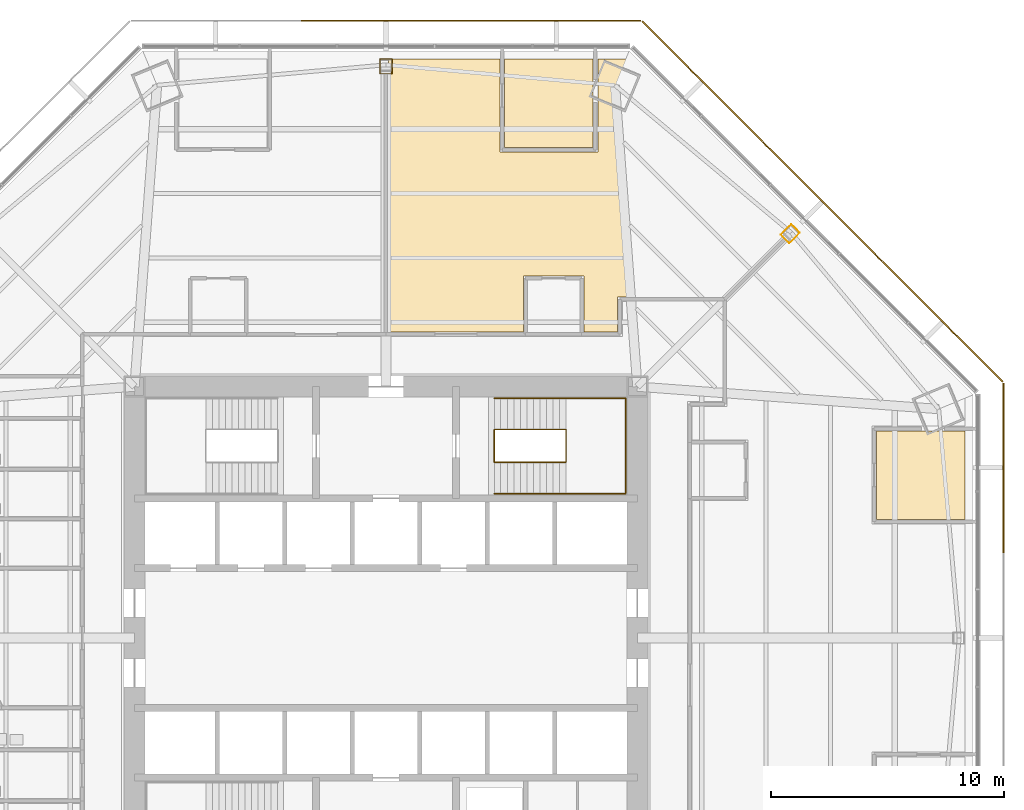
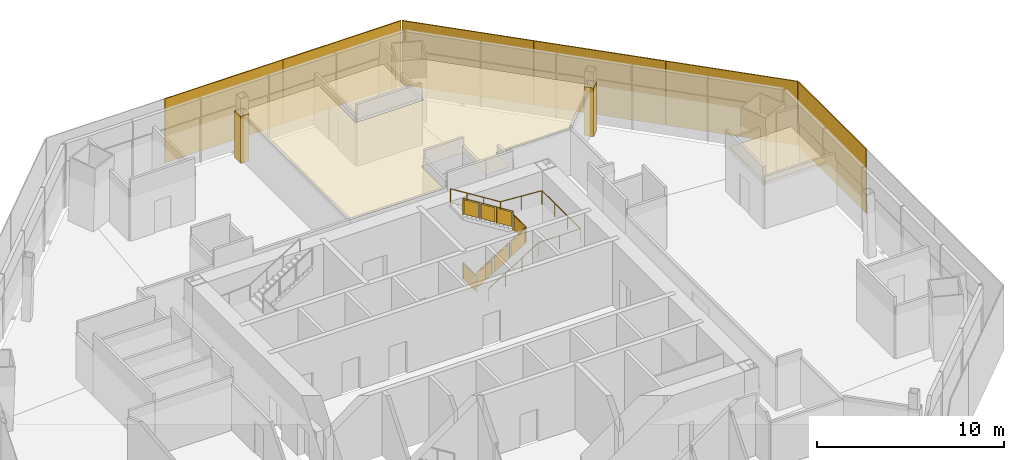
# One storey, part 16 of 17: 6 shading devices, 5 coverings, 2 railings.
"""IFC4 building model written with IfcOpenShell, lengths in metres."""

from ifc_helpers import new_model, si_unit, direction, frame, origin, origin_2d, place, context, subcontext, project, spatial, polyline, rectangle, circle, outline, extrude, source, transform, mapped, material, layer, layer_set, type_object, type_shapes, element, save


model = new_model("IFC4")

# Units and contexts
model_context = context("Model", 3, precision=1e-05, world=origin(), true_north=direction((0.0, 1.0)))
body_context = subcontext(model_context, "Body", "Model", "MODEL_VIEW")
ifc_project = project(units=[si_unit("LENGTHUNIT", "METRE"), si_unit("AREAUNIT", "SQUARE_METRE"), si_unit("VOLUMEUNIT", "CUBIC_METRE"), si_unit("PLANEANGLEUNIT", "RADIAN"), si_unit("MASSUNIT", "GRAM", prefix="KILO")], contexts=[model_context])

# Site, building, storey
site_placement = place(None, origin())
site = spatial("IfcSite", under=ifc_project, at=site_placement, CompositionType="ELEMENT")
building_placement = place(site_placement, origin())
building = spatial("IfcBuilding", under=site, at=building_placement, Name="Mashrafa Tower", CompositionType="ELEMENT")
storey_placement = place(building_placement, frame((0.0, 0.0, 91.800048828125)))
storey = spatial("IfcBuildingStorey", under=building, at=storey_placement, Name="L20", CompositionType="ELEMENT", Elevation=91.800048828125)

# Coverings
ifc_material_1 = material(Name="Gypsum board")
ifc_layer_1 = layer(ifc_material_1, 0.014892578125)
ifc_layer_set_1 = layer_set([ifc_layer_1], Name="Column casing plasterboard 15")
covering_type_1 = type_object("IfcCoveringType", Name="Column casing plasterboard 15", PredefinedType="CLADDING", material=ifc_layer_set_1)
covering_1_placement = place(storey_placement, origin())
element("IfcCovering", 1, at=covering_1_placement, inside=storey, type_object=covering_type_1, Name="Column casing L20-001", PredefinedType="CLADDING", context=body_context, shape_type="SweptSolid", body=[
    extrude(outline(polyline([(16.948486328125, 17.3232421875), (17.407470703125, 17.7822265625), (17.7822265625, 17.407470703125), (17.3232421875, 16.948486328125), (16.948486328125, 17.3232421875)]), holes=[polyline([(17.760986328125, 17.407470703125), (17.407470703125, 17.760986328125), (16.9697265625, 17.3232421875), (17.3232421875, 16.9697265625), (17.760986328125, 17.407470703125)])]), origin(), (0.0, 0.0, 1.0), 3.17919921875),
])
covering_2_placement = place(storey_placement, origin())
element("IfcCovering", 2, at=covering_2_placement, inside=storey, type_object=covering_type_1, Name="Column casing L20-002", PredefinedType="CLADDING", context=body_context, shape_type="SweptSolid", body=[
    extrude(outline(polyline([(-0.264892578125, 24.8828125), (0.264892578125, 24.8828125), (0.264892578125, 24.23388671875), (-0.264892578125, 24.23388671875), (-0.264892578125, 24.8828125)]), holes=[polyline([(0.25, 24.248779296875), (0.25, 24.867919921875), (-0.25, 24.867919921875), (-0.25, 24.248779296875), (0.25, 24.248779296875)])]), origin(), (0.0, 0.0, 1.0), 3.06494140625),
])

# Railings
ifc_material_2 = material(Name="Steel guard with glass infill", Category="steel")
railing_type_1 = type_object("IfcRailingType", Name="Stair guard 1100", PredefinedType="GUARDRAIL", material=ifc_material_2)
railing_1_placement = place(storey_placement, frame((4.64990234375, 8.949951171875, 0.0)))
element("IfcRailing", 3, at=railing_1_placement, inside=storey, type_object=railing_type_1, Name="Stair S2 guard L20", PredefinedType="GUARDRAIL", context=body_context, shape_type="SweptSolid", body=[
    extrude(circle(Radius=0.02392578125, at=origin_2d()), frame((0.0, 0.0, 1.076171875), z_axis=(0.0, -1.0, 0.0), x_axis=(1.0, 0.0, 0.0)), (0.0, 0.0, 1.0), 1.39990234375),
    extrude(circle(Radius=0.02392578125, at=origin_2d()), frame((0.0, -1.39990234375, 1.076171875), z_axis=(0.0, 0.0, 1.0), x_axis=(1.0, 0.0, 0.0)), (0.0, 0.0, 1.0), 0.175048828125),
    extrude(circle(Radius=0.02392578125, at=origin_2d()), frame((0.0, -1.39990234375, 1.2509765625), z_axis=(0.848028513186, 0.0, 0.529950602248), x_axis=(0.0, 1.0, 0.0)), (0.0, 0.0, 1.0), 3.632080078125),
    extrude(circle(Radius=0.02392578125, at=origin_2d()), frame((3.080078125, -1.39990234375, 3.17578125), z_axis=(0.0, 1.0, 0.0), x_axis=(-1.0, 0.0, 0.0)), (0.0, 0.0, 1.0), 1.39990234375),
    extrude(circle(Radius=0.02392578125, at=origin_2d()), frame((3.080078125, 0.0, 3.17578125), z_axis=(0.0, 0.0, 1.0), x_axis=(1.0, 0.0, 0.0)), (0.0, 0.0, 1.0), 0.175048828125),
    extrude(circle(Radius=0.02392578125, at=origin_2d()), frame((3.080078125, 0.0, 3.35107421875), z_axis=(-0.847998304005, 0.0, 0.529998940003), x_axis=(0.0, -1.0, 0.0)), (0.0, 0.0, 1.0), 3.632080078125),
    extrude(circle(Radius=0.02099609375, at=origin_2d()), origin(), (0.0, 0.0, 1.0), 1.052001953125),
    extrude(circle(Radius=0.02099609375, at=origin_2d()), frame((0.0, -1.39990234375, 0.0)), (0.0, 0.0, 1.0), 1.052001953125),
    extrude(circle(Radius=0.02099609375, at=origin_2d()), frame((0.0, -1.39990234375, 0.175048828125)), (0.0, 0.0, 1.0), 1.052001953125),
    extrude(circle(Radius=0.02099609375, at=origin_2d()), frame((1.026611328125, -1.39990234375, 0.816650390625)), (0.0, 0.0, 1.0), 1.052001953125),
    extrude(circle(Radius=0.02099609375, at=origin_2d()), frame((2.053466796875, -1.39990234375, 1.458251953125)), (0.0, 0.0, 1.0), 1.052001953125),
    extrude(circle(Radius=0.02099609375, at=origin_2d()), frame((3.080078125, -1.39990234375, 2.099853515625)), (0.0, 0.0, 1.0), 1.052001953125),
    extrude(circle(Radius=0.02099609375, at=origin_2d()), frame((3.080078125, 0.0, 2.099853515625)), (0.0, 0.0, 1.0), 1.052001953125),
    extrude(circle(Radius=0.02099609375, at=origin_2d()), frame((3.080078125, 0.0, 2.27490234375)), (0.0, 0.0, 1.0), 1.052001953125),
    extrude(circle(Radius=0.02099609375, at=origin_2d()), frame((2.053466796875, 0.0, 2.91650390625)), (0.0, 0.0, 1.0), 1.052001953125),
    extrude(circle(Radius=0.02099609375, at=origin_2d()), frame((1.026611328125, 0.0, 3.558349609375)), (0.0, 0.0, 1.0), 1.052001953125),
    extrude(circle(Radius=0.02099609375, at=origin_2d()), frame((0.0, 0.0, 4.199951171875)), (0.0, 0.0, 1.0), 1.052001953125),
    extrude(outline(polyline([(0.071044921875, 0.050048828125), (1.328857421875, 0.050048828125), (1.328857421875, 1.001953125), (0.071044921875, 1.001953125), (0.071044921875, 0.050048828125)])), frame((-0.006103515625, 0.0, 0.0), z_axis=(-1.0, 0.0, 0.0), x_axis=(0.0, -1.0, 0.0)), (0.0, 0.0, 1.0), 0.011962890625),
    extrude(outline(polyline([(0.071044921875, 0.094482421875), (0.955810546875, 0.647216796875), (0.955810546875, 1.59912109375), (0.071044921875, 1.04638671875), (0.071044921875, 0.094482421875)])), frame((0.0, -1.406005859375, 0.175048828125), z_axis=(0.0, -1.0, 0.0), x_axis=(1.0, 0.0, 0.0)), (0.0, 0.0, 1.0), 0.011962890625),
    extrude(outline(polyline([(1.09765625, 0.736083984375), (1.982421875, 1.288818359375), (1.982421875, 2.24072265625), (1.09765625, 1.68798828125), (1.09765625, 0.736083984375)])), frame((0.0, -1.406005859375, 0.175048828125), z_axis=(0.0, -1.0, 0.0), x_axis=(1.0, 0.0, 0.0)), (0.0, 0.0, 1.0), 0.011962890625),
    extrude(outline(polyline([(2.124267578125, 1.377685546875), (3.009033203125, 1.930419921875), (3.009033203125, 2.88232421875), (2.124267578125, 2.32958984375), (2.124267578125, 1.377685546875)])), frame((0.0, -1.406005859375, 0.175048828125), z_axis=(0.0, -1.0, 0.0), x_axis=(1.0, 0.0, 0.0)), (0.0, 0.0, 1.0), 0.011962890625),
    extrude(outline(polyline([(0.071044921875, 0.050048828125), (1.328857421875, 0.050048828125), (1.328857421875, 1.001953125), (0.071044921875, 1.001953125), (0.071044921875, 0.050048828125)])), frame((3.086181640625, -1.39990234375, 2.099853515625), z_axis=(1.0, 0.0, 0.0), x_axis=(0.0, 1.0, 0.0)), (0.0, 0.0, 1.0), 0.011962890625),
    extrude(outline(polyline([(0.071044921875, 0.094482421875), (0.955810546875, 0.647216796875), (0.955810546875, 1.599365234375), (0.071044921875, 1.04638671875), (0.071044921875, 0.094482421875)])), frame((3.080078125, 0.006103515625, 2.27490234375), z_axis=(0.0, 1.0, 0.0), x_axis=(-1.0, 0.0, 0.0)), (0.0, 0.0, 1.0), 0.011962890625),
    extrude(outline(polyline([(1.09765625, 0.736083984375), (1.982421875, 1.2890625), (1.982421875, 2.240966796875), (1.09765625, 1.68798828125), (1.09765625, 0.736083984375)])), frame((3.080078125, 0.006103515625, 2.27490234375), z_axis=(0.0, 1.0, 0.0), x_axis=(-1.0, 0.0, 0.0)), (0.0, 0.0, 1.0), 0.011962890625),
    extrude(outline(polyline([(2.124267578125, 1.377685546875), (3.009033203125, 1.9306640625), (3.009033203125, 2.882568359375), (2.124267578125, 2.329833984375), (2.124267578125, 1.377685546875)])), frame((3.080078125, 0.006103515625, 2.27490234375), z_axis=(0.0, 1.0, 0.0), x_axis=(-1.0, 0.0, 0.0)), (0.0, 0.0, 1.0), 0.011962890625),
])
ifc_material_3 = material(Name="Steel", Category="steel")
railing_type_2 = type_object("IfcRailingType", Name="Stair handrail 900", PredefinedType="HANDRAIL", material=ifc_material_3)
railing_2_placement = place(storey_placement, frame((4.64990234375, 6.199951171875, 0.175048828125)))
element("IfcRailing", 4, at=railing_2_placement, inside=storey, type_object=railing_type_2, Name="Stair S2 handrail L20", PredefinedType="HANDRAIL", context=body_context, shape_type="SweptSolid", body=[
    extrude(circle(Radius=0.02392578125, at=origin_2d()), frame((0.0, 0.0, 0.8759765625), z_axis=(0.848028513186, 0.0, 0.529950602248), x_axis=(0.0, 1.0, 0.0)), (0.0, 0.0, 1.0), 3.632080078125),
    extrude(circle(Radius=0.02392578125, at=origin_2d()), frame((3.080078125, 0.0, 2.80078125), z_axis=(1.0, 0.0, 0.0), x_axis=(0.0, 1.0, 0.0)), (0.0, 0.0, 1.0), 2.570068359375),
    extrude(circle(Radius=0.02392578125, at=origin_2d()), frame((5.650146484375, 0.0, 2.80078125), z_axis=(0.0, 1.0, 0.0), x_axis=(-1.0, 0.0, 0.0)), (0.0, 0.0, 1.0), 4.10009765625),
    extrude(circle(Radius=0.02392578125, at=origin_2d()), frame((5.650146484375, 4.10009765625, 2.80078125), z_axis=(-0.997688514158, 0.0, 0.067953136188), x_axis=(0.0, -1.0, 0.0)), (0.0, 0.0, 1.0), 2.575927734375),
    extrude(circle(Radius=0.02392578125, at=origin_2d()), frame((3.080078125, 4.10009765625, 2.9755859375), z_axis=(-0.847998304005, 0.0, 0.529998940003), x_axis=(0.0, -1.0, 0.0)), (0.0, 0.0, 1.0), 3.632080078125),
    extrude(circle(Radius=0.02099609375, at=origin_2d()), origin(), (0.0, 0.0, 1.0), 0.851806640625),
    extrude(circle(Radius=0.02099609375, at=origin_2d()), frame((1.026611328125, 0.0, 0.6416015625)), (0.0, 0.0, 1.0), 0.851806640625),
    extrude(circle(Radius=0.02099609375, at=origin_2d()), frame((2.053466796875, 0.0, 1.283203125)), (0.0, 0.0, 1.0), 0.851806640625),
    extrude(circle(Radius=0.02099609375, at=origin_2d()), frame((3.080078125, 0.0, 1.9248046875)), (0.0, 0.0, 1.0), 0.851806640625),
    extrude(circle(Radius=0.02099609375, at=origin_2d()), frame((4.365234375, 0.0, 1.9248046875)), (0.0, 0.0, 1.0), 0.851806640625),
    extrude(circle(Radius=0.02099609375, at=origin_2d()), frame((5.650146484375, 0.0, 1.9248046875)), (0.0, 0.0, 1.0), 0.851806640625),
    extrude(circle(Radius=0.02099609375, at=origin_2d()), frame((5.650146484375, 1.36669921875, 1.9248046875)), (0.0, 0.0, 1.0), 0.851806640625),
    extrude(circle(Radius=0.02099609375, at=origin_2d()), frame((5.650146484375, 2.7333984375, 1.9248046875)), (0.0, 0.0, 1.0), 0.851806640625),
    extrude(circle(Radius=0.02099609375, at=origin_2d()), frame((5.650146484375, 4.10009765625, 1.9248046875)), (0.0, 0.0, 1.0), 0.851806640625),
    extrude(circle(Radius=0.02099609375, at=origin_2d()), frame((4.365234375, 4.10009765625, 2.01220703125)), (0.0, 0.0, 1.0), 0.851806640625),
    extrude(circle(Radius=0.02099609375, at=origin_2d()), frame((3.080078125, 4.10009765625, 2.099853515625)), (0.0, 0.0, 1.0), 0.851806640625),
    extrude(circle(Radius=0.02099609375, at=origin_2d()), frame((2.053466796875, 4.10009765625, 2.741455078125)), (0.0, 0.0, 1.0), 0.851806640625),
    extrude(circle(Radius=0.02099609375, at=origin_2d()), frame((1.026611328125, 4.10009765625, 3.38330078125)), (0.0, 0.0, 1.0), 0.851806640625),
    extrude(circle(Radius=0.02099609375, at=origin_2d()), frame((0.0, 4.10009765625, 4.02490234375)), (0.0, 0.0, 1.0), 0.851806640625),
])

# Coverings
ifc_material_4 = material(Name="Mineral fibre tile on suspension grid")
ifc_layer_2 = layer(ifc_material_4, 0.014892578125)
ifc_layer_set_2 = layer_set([ifc_layer_2], Name="Suspended ceiling mineral tile 15")
covering_type_2 = type_object("IfcCoveringType", Name="Suspended ceiling mineral tile 15", PredefinedType="CEILING", material=ifc_layer_set_2)
covering_3_placement = place(storey_placement, frame((0.0, 0.0, 2.89990234375)))
element("IfcCovering", 5, at=covering_3_placement, inside=storey, type_object=covering_type_2, Name="Ceiling Manager's Office 20-NE", PredefinedType="CEILING", context=body_context, shape_type="SweptSolid", body=[
    extrude(outline(polyline([(5.10009765625, 24.867919921875), (8.89990234375, 24.867919921875), (8.89990234375, 21.06787109375), (5.10009765625, 21.06787109375), (5.10009765625, 24.867919921875)])), origin(), (0.0, 0.0, 1.0), 0.01513671875),
])
covering_4_placement = place(storey_placement, frame((0.0, 0.0, 2.89990234375)))
element("IfcCovering", 6, at=covering_4_placement, inside=storey, type_object=covering_type_2, Name="Ceiling Meeting Room 20-E", PredefinedType="CEILING", context=body_context, shape_type="SweptSolid", body=[
    extrude(outline(polyline([(21.06787109375, 8.89990234375), (24.867919921875, 8.89990234375), (24.867919921875, 5.10009765625), (21.06787109375, 5.10009765625), (21.06787109375, 8.89990234375)])), origin(), (0.0, 0.0, 1.0), 0.01513671875),
])
covering_5_placement = place(storey_placement, frame((0.0, 0.0, 2.89990234375)))
element("IfcCovering", 7, at=covering_5_placement, inside=storey, type_object=covering_type_2, Name="Ceiling Office Suite 20-NE", PredefinedType="CEILING", context=body_context, shape_type="SweptSolid", body=[
    extrude(outline(polyline([(0.10009765625, 24.867919921875), (4.89990234375, 24.867919921875), (4.89990234375, 20.867919921875), (9.10009765625, 20.867919921875), (9.10009765625, 24.867919921875), (10.300537109375, 24.867919921875), (17.513427734375, 17.65478515625), (14.508544921875, 14.64990234375), (9.949951171875, 14.64990234375), (9.949951171875, 13.14990234375), (8.5, 13.14990234375), (8.5, 15.550048828125), (5.89990234375, 15.550048828125), (5.89990234375, 13.14990234375), (0.10009765625, 13.14990234375), (0.10009765625, 24.867919921875)])), origin(), (0.0, 0.0, 1.0), 0.01513671875),
])

# Shading devices
ifc_material_5 = material(Name="Perforated aluminium plate, eight-point star pattern", Category="aluminium")
ifc_layer_3 = layer(ifc_material_5, 0.06005859375)
ifc_layer_set_3 = layer_set([ifc_layer_3], Name="Mashrabiya screen panel office zone 1, 45 percent open")
shading_device_type = type_object("IfcShadingDeviceType", Name="Mashrabiya screen panel office zone 1, 45 percent open", PredefinedType="SHUTTER", material=ifc_layer_set_3)
shared_shape = source(origin(), body_context, "Body", "SweptSolid", [
    extrude(rectangle(XDim=7.287841796875, YDim=0.06005859375, at=origin_2d()), origin(), (0.0, 0.0, 1.0), 4.179931640625),
])
type_shapes(shading_device_type, [shared_shape])
for number, where, z_axis, x_axis, name in (
    (8, (26.517822265625, 7.307861328125, -0.14990234375), (0.0, 0.0, 1.0), (0.0, 1.0, 0.0), "Mashrabiya screen L20 east 3"),
    (9, (23.918212890625, 13.58349609375, -0.14990234375), (0.0, 0.0, 1.0), (-0.707106781187, 0.707106781187, 0.0), "Mashrabiya screen L20 north-east 1"),
    (10, (18.7509765625, 18.7509765625, -0.14990234375), (0.0, 0.0, 1.0), (-0.707106781187, 0.707106781187, 0.0), "Mashrabiya screen L20 north-east 2"),
    (11, (13.58349609375, 23.918212890625, -0.14990234375), (0.0, 0.0, 1.0), (-0.707106781187, 0.707106781187, 0.0), "Mashrabiya screen L20 north-east 3"),
    (12, (7.307861328125, 26.517822265625, -0.14990234375), (0.0, 0.0, 1.0), (-1.0, 0.0, 0.0), "Mashrabiya screen L20 north 1"),
    (13, (0.0, 26.517822265625, -0.14990234375), (0.0, 0.0, 1.0), (-1.0, 0.0, 0.0), "Mashrabiya screen L20 north 2"),
):
    element("IfcShadingDevice", number, at=place(storey_placement, frame(where, z_axis=z_axis, x_axis=x_axis)), inside=storey, type_object=shading_device_type, Name=name, PredefinedType="SHUTTER", context=body_context, shape_type="MappedRepresentation", body=[
        mapped(shared_shape, transform((0.0, 0.0, 0.0))),
    ])

save(model, "model.ifc")
